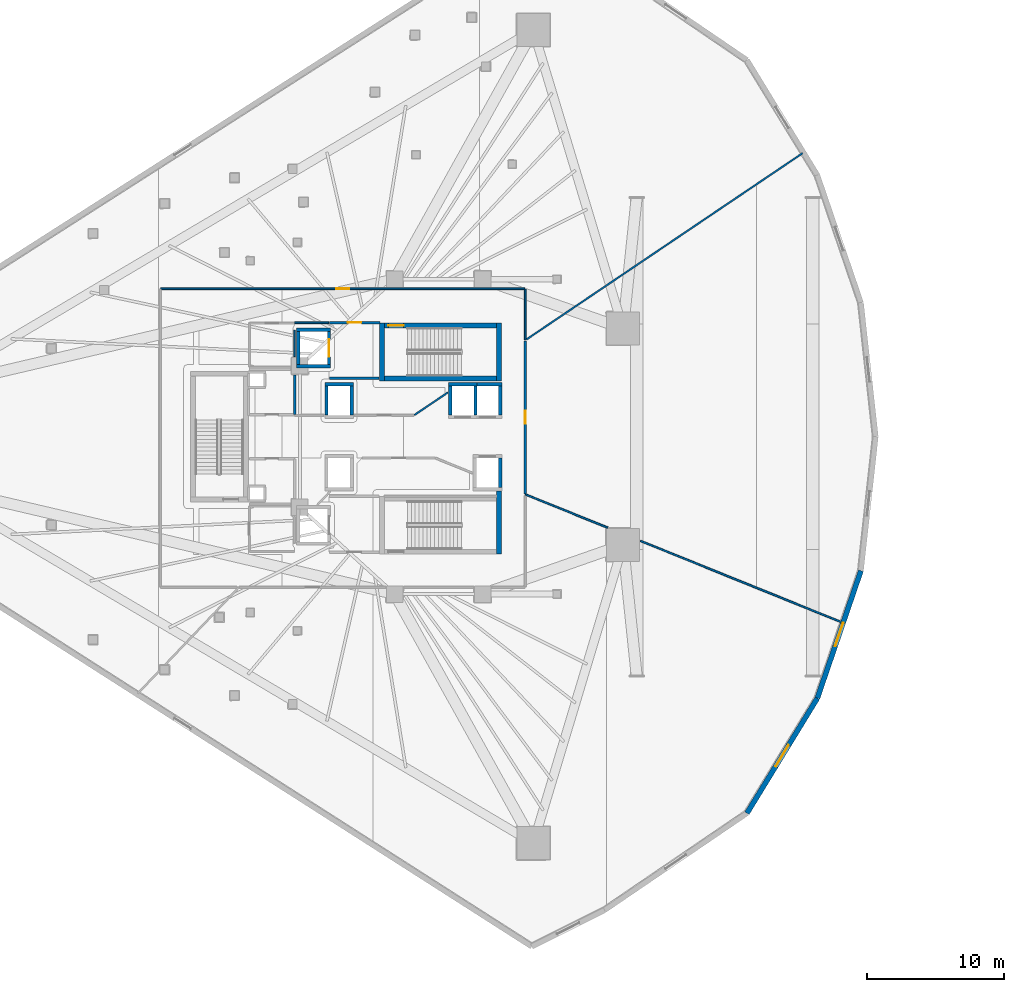
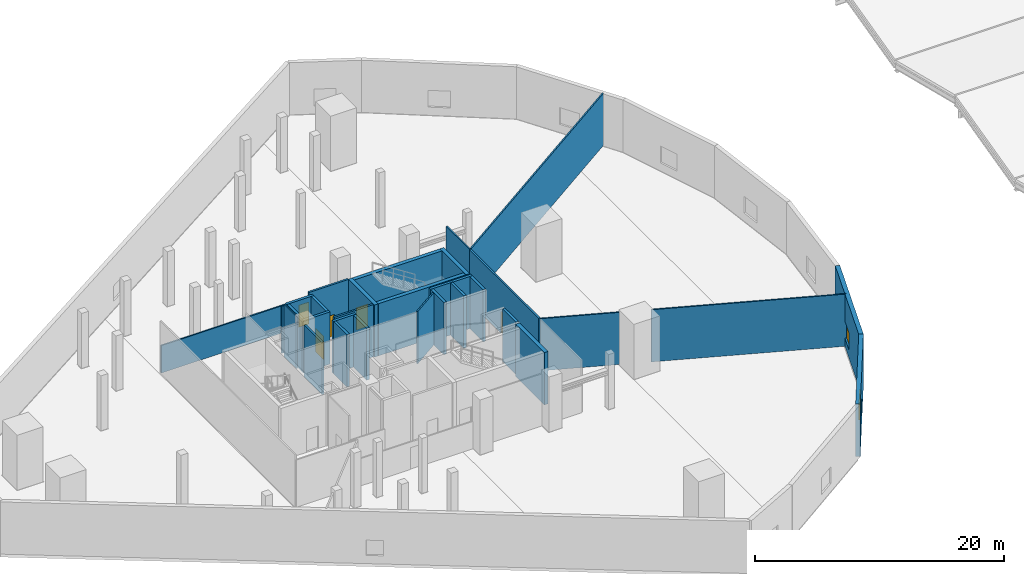
# One storey, part 26 of 36: 32 walls, 5 doors, 2 windows, 7 openings.
"""IFC4 building model written with IfcOpenShell, lengths in metres."""

from ifc_helpers import new_model, si_unit, direction, frame, frame_2d, origin, place, context, subcontext, project, spatial, rectangle, extrude, material, layer, layer_set, type_object, element, fill, save


model = new_model("IFC4")

# Units and contexts
model_context = context("Model", 3, precision=1e-05, world=origin(), true_north=direction((0.0, 1.0)))
body_context = subcontext(model_context, "Body", "Model", "MODEL_VIEW")
ifc_project = project(units=[si_unit("LENGTHUNIT", "METRE"), si_unit("AREAUNIT", "SQUARE_METRE"), si_unit("VOLUMEUNIT", "CUBIC_METRE"), si_unit("PLANEANGLEUNIT", "RADIAN"), si_unit("MASSUNIT", "GRAM", prefix="KILO")], contexts=[model_context])

# Site, building, storey
site_placement = place(None, origin())
site = spatial("IfcSite", under=ifc_project, at=site_placement, CompositionType="ELEMENT")
building_placement = place(site_placement, origin())
building = spatial("IfcBuilding", under=site, at=building_placement, Name="Qorvath Tower", CompositionType="ELEMENT")
storey_placement = place(building_placement, frame((0.0, 0.0, 27.0)))
storey = spatial("IfcBuildingStorey", under=building, at=storey_placement, Name="L05", CompositionType="ELEMENT", Elevation=27.0)

# Wall
ifc_material_1 = material(Name="Gypsum shaftliner on steel studs", Category="steel")
ifc_layer_1 = layer(ifc_material_1, 0.179931640625)
ifc_layer_set_1 = layer_set([ifc_layer_1], Name="FW-LOBBY")
wall_type_1 = type_object("IfcWallType", Name="FW-LOBBY", PredefinedType="PARTITIONING", material=ifc_layer_set_1)
wall_1_placement = place(storey_placement, frame((-28.35498046875, 4.25, 0.0), z_axis=(0.0, 0.0, 1.0), x_axis=(1.0, 0.0, 0.0)))
element("IfcWall", 1, at=wall_1_placement, inside=storey, type_object=wall_type_1, Name="Interior Partition IW-T1-L05-001", PredefinedType="PARTITIONING", context=body_context, shape_type="SweptSolid", body=[
    extrude(rectangle(XDim=3.6220703125, YDim=0.179931640625, at=frame_2d((1.81103515625, 0.0))), origin(), (0.0, 0.0, 1.0), 5.1201171875),
])

# Wall, opening, door
wall_2_placement = place(storey_placement, frame((-24.68408203125, 8.300048828125, 0.0), z_axis=(0.0, 0.0, 1.0), x_axis=(-1.0, 0.0, 0.0)))
wall_2 = element("IfcWall", 2, at=wall_2_placement, inside=storey, type_object=wall_type_1, Name="Interior Partition IW-T1-L05-002", PredefinedType="PARTITIONING", context=body_context, shape_type="SweptSolid", body=[
    extrude(rectangle(XDim=3.6708984375, YDim=0.179931640625, at=frame_2d((1.83544921875, 0.0))), origin(), (0.0, 0.0, 1.0), 5.1201171875),
])
opening_1_placement = place(wall_2_placement, frame((1.33544921875, 0.0, 0.0)))
opening_1 = element("IfcOpeningElement", 3, at=opening_1_placement, cuts=wall_2, Name="Opening D-T1-L05-01", PredefinedType="OPENING", context=body_context, shape_type="SweptSolid", body=[
    extrude(rectangle(XDim=1.0, YDim=2.14990234375, at=frame_2d((0.5, 1.074951171875))), frame((0.0, 0.10009765625, 0.0), z_axis=(0.0, -1.0, 0.0), x_axis=(1.0, 0.0, 0.0)), (0.0, 0.0, 1.0), 0.199951171875),
])
ifc_material_2 = material(Name="Painted galvanised hollow metal", Category="steel")
door_type_1 = type_object("IfcDoorType", Name="FD-60", OperationType="NOTDEFINED", PredefinedType="DOOR", material=ifc_material_2)
door_1_placement = place(opening_1_placement, origin())
door_1 = element("IfcDoor", 4, at=door_1_placement, inside=storey, type_object=door_type_1, Name="Lobby Fire Service Elevator North Door D-T1-L05-01", OperationType="SINGLE_SWING_RIGHT", OverallHeight=2.14990234375, OverallWidth=1.0, PredefinedType="DOOR", context=body_context, shape_type="SweptSolid", body=[
    extrude(rectangle(XDim=1.0, YDim=2.14990234375, at=frame_2d((0.5, 1.074951171875))), frame((0.0, 0.02490234375, 0.0), z_axis=(0.0, -1.0, 0.0), x_axis=(1.0, 0.0, 0.0)), (0.0, 0.0, 1.0), 0.050048828125),
])
fill(opening_1, door_1)

# Wall
wall_3_placement = place(storey_placement, frame((-30.8798828125, 1.625, 0.0), z_axis=(0.0, 0.0, 1.0), x_axis=(0.0, 1.0, 0.0)))
element("IfcWall", 5, at=wall_3_placement, inside=storey, type_object=wall_type_1, Name="Interior Partition IW-T1-L05-014", PredefinedType="PARTITIONING", context=body_context, shape_type="SweptSolid", body=[
    extrude(rectangle(XDim=2.860107421875, YDim=0.179931640625, at=frame_2d((1.43017578125, 0.0))), origin(), (0.0, 0.0, 1.0), 5.1201171875),
])

# Wall, opening, door
ifc_material_3 = material(Name="Double acoustic gypsum board on steel studs", Category="steel")
ifc_layer_2 = layer(ifc_material_3, 0.159912109375)
ifc_layer_set_2 = layer_set([ifc_layer_2], Name="IW-ACOUSTIC-160")
wall_type_2 = type_object("IfcWallType", Name="IW-ACOUSTIC-160", PredefinedType="PARTITIONING", material=ifc_layer_set_2)
wall_4_placement = place(storey_placement, frame((-14.112060546875, 6.97216796875, 0.0), z_axis=(0.0, 0.0, 1.0), x_axis=(0.0, -1.0, 0.0)))
wall_4 = element("IfcWall", 6, at=wall_4_placement, inside=storey, type_object=wall_type_2, Name="Interior Partition IW-T1-L05-042", PredefinedType="PARTITIONING", context=body_context, shape_type="SweptSolid", body=[
    extrude(rectangle(XDim=11.135986328125, YDim=0.159912109375, at=frame_2d((5.56787109375, 0.0))), origin(), (0.0, 0.0, 1.0), 5.1201171875),
])
opening_2_placement = place(wall_4_placement, frame((5.093017578125, 0.0, 0.0)))
opening_2 = element("IfcOpeningElement", 7, at=opening_2_placement, cuts=wall_4, Name="Opening D-T1-L05-09", PredefinedType="OPENING", context=body_context, shape_type="SweptSolid", body=[
    extrude(rectangle(XDim=0.949951171875, YDim=2.14990234375, at=frame_2d((0.47509765625, 1.074951171875))), frame((0.0, 0.08984375, 0.0), z_axis=(0.0, -1.0, 0.0), x_axis=(1.0, 0.0, 0.0)), (0.0, 0.0, 1.0), 0.179931640625),
])
ifc_material_4 = material(Name="Solid-core American white oak veneer", Category="wood")
door_type_2 = type_object("IfcDoorType", Name="D-01", OperationType="NOTDEFINED", PredefinedType="DOOR", material=ifc_material_4)
door_2_placement = place(opening_2_placement, origin())
door_2 = element("IfcDoor", 8, at=door_2_placement, inside=storey, type_object=door_type_2, Name="L05-05 Breakout Reading Alcove Door D-T1-L05-09", OperationType="SINGLE_SWING_RIGHT", OverallHeight=2.14990234375, OverallWidth=0.949951171875, PredefinedType="DOOR", context=body_context, shape_type="SweptSolid", body=[
    extrude(rectangle(XDim=0.949951171875, YDim=2.14990234375, at=frame_2d((0.47509765625, 1.074951171875))), frame((0.0, 0.02490234375, 0.0), z_axis=(0.0, -1.0, 0.0), x_axis=(1.0, 0.0, 0.0)), (0.0, 0.0, 1.0), 0.050048828125),
])
fill(opening_2, door_2)

ifc_material_5 = material(Name="Gypsum board on metal studs with mineral wool", Category="gypsum")
ifc_layer_3 = layer(ifc_material_5, 0.125)
ifc_layer_set_3 = layer_set([ifc_layer_3], Name="IW-PART-125")
wall_type_3 = type_object("IfcWallType", Name="IW-PART-125", PredefinedType="PARTITIONING", material=ifc_layer_set_3)
wall_5_placement = place(storey_placement, frame((-40.633056640625, 10.758056640625, 0.0), z_axis=(0.0, 0.0, 1.0), x_axis=(1.0, 0.0, 0.0)))
wall_5 = element("IfcWall", 9, at=wall_5_placement, inside=storey, type_object=wall_type_3, Name="Interior Partition IW-T1-L05-020", PredefinedType="PARTITIONING", context=body_context, shape_type="SweptSolid", body=[
    extrude(rectangle(XDim=26.495849609375, YDim=0.125, at=frame_2d((13.248046875, 0.0))), origin(), (0.0, 0.0, 1.0), 2.690185546875),
])
opening_3_placement = place(wall_5_placement, frame((12.77294921875, 0.0, 0.0)))
opening_3 = element("IfcOpeningElement", 10, at=opening_3_placement, cuts=wall_5, Name="Opening D-T1-L05-06", PredefinedType="OPENING", context=body_context, shape_type="SweptSolid", body=[
    extrude(rectangle(XDim=0.949951171875, YDim=2.14990234375, at=frame_2d((0.47509765625, 1.074951171875))), frame((0.0, 0.072509765625, 0.0), z_axis=(0.0, -1.0, 0.0), x_axis=(1.0, 0.0, 0.0)), (0.0, 0.0, 1.0), 0.14501953125),
])
door_3_placement = place(opening_3_placement, origin())
door_3 = element("IfcDoor", 11, at=door_3_placement, inside=storey, type_object=door_type_2, Name="L05-01 Project Collaboration Workspace Door D-T1-L05-06", OperationType="SINGLE_SWING_LEFT", OverallHeight=2.14990234375, OverallWidth=0.949951171875, PredefinedType="DOOR", context=body_context, shape_type="SweptSolid", body=[
    extrude(rectangle(XDim=0.949951171875, YDim=2.14990234375, at=frame_2d((0.47509765625, 1.074951171875))), frame((0.0, 0.02490234375, 0.0), z_axis=(0.0, -1.0, 0.0), x_axis=(1.0, 0.0, 0.0)), (0.0, 0.0, 1.0), 0.050048828125),
])
fill(opening_3, door_3)

# Walls
wall_6_placement = place(storey_placement, frame((-14.112060546875, 7.03173828125, 0.0), z_axis=(0.0, 0.0, 1.0), x_axis=(0.0, 1.0, 0.0)))
element("IfcWall", 12, at=wall_6_placement, inside=storey, type_object=wall_type_3, Name="Interior Partition IW-T1-L05-021", PredefinedType="PARTITIONING", context=body_context, shape_type="SweptSolid", body=[
    extrude(rectangle(XDim=3.701416015625, YDim=0.125, at=frame_2d((1.8505859375, 0.0))), origin(), (0.0, 0.0, 1.0), 5.1201171875),
])
wall_7_placement = place(storey_placement, frame((-14.00634765625, 7.078125, 0.0), z_axis=(0.0, 0.0, 1.0), x_axis=(0.829040285076, 0.559188881973, 0.0)))
element("IfcWall", 13, at=wall_7_placement, inside=storey, type_object=wall_type_3, Name="Interior Partition IW-T1-L05-022", PredefinedType="PARTITIONING", context=body_context, shape_type="SweptSolid", body=[
    extrude(rectangle(XDim=24.218505859375, YDim=0.125, at=frame_2d((12.109375, 0.0))), origin(), (0.0, 0.0, 1.0), 5.1201171875),
])
wall_8_placement = place(storey_placement, frame((-28.412841796875, 8.2919921875, 0.0), z_axis=(0.0, 0.0, 1.0), x_axis=(-1.0, 0.0, 0.0)))
element("IfcWall", 14, at=wall_8_placement, inside=storey, type_object=wall_type_3, Name="Interior Partition IW-T1-L05-027", PredefinedType="PARTITIONING", context=body_context, shape_type="SweptSolid", body=[
    extrude(rectangle(XDim=2.467041015625, YDim=0.125, at=frame_2d((1.2333984375, 0.0))), origin(), (0.0, 0.0, 1.0), 4.633056640625),
])
wall_9_placement = place(storey_placement, frame((-22.16943359375, 1.572021484375, 0.0), z_axis=(0.0, 0.0, 1.0), x_axis=(0.829063181021, 0.559154935483, 0.0)))
element("IfcWall", 15, at=wall_9_placement, inside=storey, type_object=wall_type_3, Name="Interior Partition IW-T1-L05-031", PredefinedType="PARTITIONING", context=body_context, shape_type="SweptSolid", body=[
    extrude(rectangle(XDim=2.941650390625, YDim=0.125, at=frame_2d((1.470703125, 0.0))), origin(), (0.0, 0.0, 1.0), 5.1201171875),
])
wall_10_placement = place(storey_placement, frame((8.941162109375, -13.512451171875, 0.0), z_axis=(0.0, 0.0, 1.0), x_axis=(-0.927168460968, 0.374644691657, 0.0)))
element("IfcWall", 16, at=wall_10_placement, inside=storey, type_object=wall_type_3, Name="Interior Partition IW-T1-L05-033", PredefinedType="PARTITIONING", context=body_context, shape_type="SweptSolid", body=[
    extrude(rectangle(XDim=15.822265625, YDim=0.125, at=frame_2d((7.9111328125, 0.0))), origin(), (0.0, 0.0, 1.0), 5.1201171875),
])
wall_11_placement = place(storey_placement, frame((-8.10986328125, -6.62255859375, 0.0), z_axis=(0.0, 0.0, 1.0), x_axis=(-0.927178624455, 0.374619538137, 0.0)))
element("IfcWall", 17, at=wall_11_placement, inside=storey, type_object=wall_type_3, Name="Interior Partition IW-T1-L05-034", PredefinedType="PARTITIONING", context=body_context, shape_type="SweptSolid", body=[
    extrude(rectangle(XDim=6.448486328125, YDim=0.125, at=frame_2d((3.22412109375, 0.0))), origin(), (0.0, 0.0, 1.0), 5.1201171875),
])
ifc_material_6 = material(Name="Moisture-resistant cement board on metal studs", Category="gypsum")
ifc_layer_4 = layer(ifc_material_6, 0.110107421875)
ifc_layer_set_4 = layer_set([ifc_layer_4], Name="IW-WC-110")
wall_type_4 = type_object("IfcWallType", Name="IW-WC-110", PredefinedType="PARTITIONING", material=ifc_layer_set_4)
wall_12_placement = place(storey_placement, frame((-30.8798828125, 5.81494140625, 0.0), z_axis=(0.0, 0.0, 1.0), x_axis=(0.0, 1.0, 0.0)))
element("IfcWall", 18, at=wall_12_placement, inside=storey, type_object=wall_type_4, Name="Interior Partition IW-T1-L05-007", PredefinedType="PARTITIONING", context=body_context, shape_type="SweptSolid", body=[
    extrude(rectangle(XDim=1.927978515625, YDim=0.110107421875, at=frame_2d((0.9638671875, 0.0))), origin(), (0.0, 0.0, 1.0), 5.1201171875),
])
ifc_material_7 = material(Name="Concrete C60/75", Category="concrete")
ifc_layer_5 = layer(ifc_material_7, 0.260009765625)
ifc_layer_set_5 = layer_set([ifc_layer_5], Name="SW-SHAFT")
wall_type_5 = type_object("IfcWallType", Name="SW-SHAFT", PredefinedType="SHEAR", material=ifc_layer_set_5)
for number, where, z_axis, x_axis, name in (
    (19, (-28.260009765625, 5.1298828125, 0.0), (0.0, 0.0, 1.0), (-1.0, 0.0, 0.0), "Hoistway Wall FSAE-1 L05 S"),
    (20, (-30.739990234375, 7.77001953125, 0.0), (0.0, 0.0, 1.0), (1.0, 0.0, 0.0), "Hoistway Wall FSAE-1 L05 N"),
):
    element("IfcWall", number, at=place(storey_placement, frame(where, z_axis=z_axis, x_axis=x_axis)), inside=storey, type_object=wall_type_5, Name=name, PredefinedType="SHEAR", context=body_context, shape_type="SweptSolid", body=[
        extrude(rectangle(XDim=2.47998046875, YDim=0.239990234375, at=frame_2d((1.239990234375, 0.0))), origin(), (0.0, 0.0, 1.0), 5.1201171875),
    ])
wall_13_placement = place(storey_placement, frame((-30.6201171875, 5.261962890625, 0.0), z_axis=(0.0, 0.0, 1.0), x_axis=(0.0, 1.0, 0.0)))
element("IfcWall", 21, at=wall_13_placement, inside=storey, type_object=wall_type_5, Name="Hoistway Wall FSAE-1 L05 W", PredefinedType="SHEAR", context=body_context, shape_type="SweptSolid", body=[
    extrude(rectangle(XDim=2.3759765625, YDim=0.239990234375, at=frame_2d((1.18798828125, 0.0))), origin(), (0.0, 0.0, 1.0), 5.1201171875),
])

# Wall, opening, door
wall_14_placement = place(storey_placement, frame((-28.3798828125, 7.637939453125, 0.0), z_axis=(0.0, 0.0, 1.0), x_axis=(0.0, -1.0, 0.0)))
wall_14 = element("IfcWall", 22, at=wall_14_placement, inside=storey, type_object=wall_type_5, Name="Hoistway Wall FSAE-1 L05 E", PredefinedType="SHEAR", context=body_context, shape_type="SweptSolid", body=[
    extrude(rectangle(XDim=2.3759765625, YDim=0.239990234375, at=frame_2d((1.18798828125, 0.0))), origin(), (0.0, 0.0, 1.0), 5.1201171875),
])
opening_4_placement = place(wall_14_placement, frame((0.537841796875, 0.0, 0.0)))
opening_4 = element("IfcOpeningElement", 23, at=opening_4_placement, cuts=wall_14, Name="Opening LD-FSAE-1-L05", PredefinedType="OPENING", context=body_context, shape_type="SweptSolid", body=[
    extrude(rectangle(XDim=1.300048828125, YDim=2.300048828125, at=frame_2d((0.64990234375, 1.14990234375))), frame((0.0, 0.1298828125, 0.0), z_axis=(0.0, -1.0, 0.0), x_axis=(1.0, 0.0, 0.0)), (0.0, 0.0, 1.0), 0.260009765625),
])
ifc_material_8 = material(Name="Brushed stainless steel AISI 316", Category="steel")
door_type_3 = type_object("IfcDoorType", Name="LD-02", OperationType="NOTDEFINED", PredefinedType="DOOR", material=ifc_material_8)
door_4_placement = place(opening_4_placement, origin())
door_4 = element("IfcDoor", 24, at=door_4_placement, inside=storey, type_object=door_type_3, Name="Elevator Landing Sliding Door LD-FSAE-1-L05", OperationType="DOUBLE_DOOR_SLIDING", OverallHeight=2.300048828125, OverallWidth=1.300048828125, PredefinedType="DOOR", context=body_context, shape_type="SweptSolid", body=[
    extrude(rectangle(XDim=1.300048828125, YDim=2.300048828125, at=frame_2d((0.64990234375, 1.14990234375))), frame((0.0, 0.02490234375, 0.0), z_axis=(0.0, -1.0, 0.0), x_axis=(1.0, 0.0, 0.0)), (0.0, 0.0, 1.0), 0.050048828125),
])
fill(opening_4, door_4)

# Walls
wall_15_placement = place(storey_placement, frame((-28.68994140625, 3.820068359375, 0.0), z_axis=(0.0, 0.0, 1.0), x_axis=(1.0, 0.0, 0.0)))
element("IfcWall", 25, at=wall_15_placement, inside=storey, type_object=wall_type_5, Name="Hoistway Wall PS-1 L05 N", PredefinedType="SHEAR", context=body_context, shape_type="SweptSolid", body=[
    extrude(rectangle(XDim=2.079833984375, YDim=0.239990234375, at=frame_2d((1.0400390625, 0.0))), origin(), (0.0, 0.0, 1.0), 5.1201171875),
])
for number, where, z_axis, x_axis, name in (
    (26, (-28.570068359375, 1.56201171875, 0.0), (0.0, 0.0, 1.0), (0.0, 1.0, 0.0), "Hoistway Wall PS-1 L05 W"),
    (27, (-26.72998046875, 3.68798828125, 0.0), (0.0, 0.0, 1.0), (0.0, -1.0, 0.0), "Hoistway Wall PS-1 L05 E"),
):
    element("IfcWall", number, at=place(storey_placement, frame(where, z_axis=z_axis, x_axis=x_axis)), inside=storey, type_object=wall_type_5, Name=name, PredefinedType="SHEAR", context=body_context, shape_type="SweptSolid", body=[
        extrude(rectangle(XDim=2.1259765625, YDim=0.239990234375, at=frame_2d((1.06298828125, 0.0))), origin(), (0.0, 0.0, 1.0), 5.1201171875),
    ])
wall_16_placement = place(storey_placement, frame((-19.68994140625, 3.820068359375, 0.0), z_axis=(0.0, 0.0, 1.0), x_axis=(1.0, 0.0, 0.0)))
element("IfcWall", 28, at=wall_16_placement, inside=storey, type_object=wall_type_5, Name="Hoistway Wall PL-1 L05 N", PredefinedType="SHEAR", context=body_context, shape_type="SweptSolid", body=[
    extrude(rectangle(XDim=2.079833984375, YDim=0.239990234375, at=frame_2d((1.0400390625, 0.0))), origin(), (0.0, 0.0, 1.0), 5.1201171875),
])
for number, where, z_axis, x_axis, name in (
    (29, (-19.570068359375, 1.56201171875, 0.0), (0.0, 0.0, 1.0), (0.0, 1.0, 0.0), "Hoistway Wall PL-1 L05 W"),
    (30, (-17.72998046875, 3.68798828125, 0.0), (0.0, 0.0, 1.0), (0.0, -1.0, 0.0), "Hoistway Wall PL-1 L05 E"),
):
    element("IfcWall", number, at=place(storey_placement, frame(where, z_axis=z_axis, x_axis=x_axis)), inside=storey, type_object=wall_type_5, Name=name, PredefinedType="SHEAR", context=body_context, shape_type="SweptSolid", body=[
        extrude(rectangle(XDim=2.1259765625, YDim=0.239990234375, at=frame_2d((1.06298828125, 0.0))), origin(), (0.0, 0.0, 1.0), 5.1201171875),
    ])
wall_17_placement = place(storey_placement, frame((-17.610107421875, 3.820068359375, 0.0), z_axis=(0.0, 0.0, 1.0), x_axis=(1.0, 0.0, 0.0)))
element("IfcWall", 31, at=wall_17_placement, inside=storey, type_object=wall_type_5, Name="Hoistway Wall PL-3 L05 N", PredefinedType="SHEAR", context=body_context, shape_type="SweptSolid", body=[
    extrude(rectangle(XDim=1.800048828125, YDim=0.239990234375, at=frame_2d((0.89990234375, 0.0))), origin(), (0.0, 0.0, 1.0), 5.1201171875),
])
for number, where, z_axis, x_axis, name in (
    (32, (-15.929931640625, 3.68798828125, 0.0), (0.0, 0.0, 1.0), (0.0, -1.0, 0.0), "Hoistway Wall PL-3 L05 E"),
    (33, (-15.929931640625, -1.56201171875, 0.0), (0.0, 0.0, 1.0), (0.0, -1.0, 0.0), "Hoistway Wall PL-2 L05 E"),
):
    element("IfcWall", number, at=place(storey_placement, frame(where, z_axis=z_axis, x_axis=x_axis)), inside=storey, type_object=wall_type_5, Name=name, PredefinedType="SHEAR", context=body_context, shape_type="SweptSolid", body=[
        extrude(rectangle(XDim=2.1259765625, YDim=0.239990234375, at=frame_2d((1.06298828125, 0.0))), origin(), (0.0, 0.0, 1.0), 5.1201171875),
    ])
ifc_material_9 = material(Name="Concrete C60/75", Category="concrete")
ifc_layer_6 = layer(ifc_material_9, 0.35009765625)
ifc_layer_set_6 = layer_set([ifc_layer_6], Name="SW-STAIR")
wall_type_6 = type_object("IfcWallType", Name="SW-STAIR", PredefinedType="SHEAR", material=ifc_layer_set_6)
for number, where, z_axis, x_axis, name in (
    (34, (-24.52490234375, 8.260009765625, 0.0), (0.0, 0.0, 1.0), (0.0, -1.0, 0.0), "Stair TS1 Shear Wall L05 NEAR"),
    (35, (-16.02490234375, 4.050048828125, 0.0), (0.0, 0.0, 1.0), (0.0, 1.0, 0.0), "Stair TS1 Shear Wall L05 FAR"),
):
    element("IfcWall", number, at=place(storey_placement, frame(where, z_axis=z_axis, x_axis=x_axis)), inside=storey, type_object=wall_type_6, Name=name, PredefinedType="SHEAR", context=body_context, shape_type="SweptSolid", body=[
        extrude(rectangle(XDim=4.2099609375, YDim=0.35009765625, at=frame_2d((2.10498046875, 0.0))), origin(), (0.0, 0.0, 1.0), 5.1201171875),
    ])
wall_18_placement = place(storey_placement, frame((-24.3349609375, 4.22509765625, 0.0), z_axis=(0.0, 0.0, 1.0), x_axis=(1.0, 0.0, 0.0)))
element("IfcWall", 36, at=wall_18_placement, inside=storey, type_object=wall_type_6, Name="Stair TS1 Shear Wall L05 LEFT", PredefinedType="SHEAR", context=body_context, shape_type="SweptSolid", body=[
    extrude(rectangle(XDim=8.119873046875, YDim=0.35009765625, at=frame_2d((4.06005859375, 0.0))), origin(), (0.0, 0.0, 1.0), 5.1201171875),
])

# Wall, opening, door
wall_19_placement = place(storey_placement, frame((-16.215087890625, 8.0849609375, 0.0), z_axis=(0.0, 0.0, 1.0), x_axis=(-1.0, 0.0, 0.0)))
wall_19 = element("IfcWall", 37, at=wall_19_placement, inside=storey, type_object=wall_type_6, Name="Stair TS1 Shear Wall L05 RIGHT", PredefinedType="SHEAR", context=body_context, shape_type="SweptSolid", body=[
    extrude(rectangle(XDim=8.119873046875, YDim=0.35009765625, at=frame_2d((4.06005859375, 0.0))), origin(), (0.0, 0.0, 1.0), 5.1201171875),
])
opening_5_placement = place(wall_19_placement, frame((6.739990234375, 0.0, 0.0)))
opening_5 = element("IfcOpeningElement", 38, at=opening_5_placement, cuts=wall_19, Name="Opening D-TS1-L05", PredefinedType="OPENING", context=body_context, shape_type="SweptSolid", body=[
    extrude(rectangle(XDim=1.10009765625, YDim=2.199951171875, at=frame_2d((0.550048828125, 1.10009765625))), frame((0.0, 0.18505859375, 0.0), z_axis=(0.0, -1.0, 0.0), x_axis=(1.0, 0.0, 0.0)), (0.0, 0.0, 1.0), 0.3701171875),
])
ifc_material_10 = material(Name="Painted galvanised hollow metal", Category="steel")
door_type_4 = type_object("IfcDoorType", Name="FD-90", OperationType="NOTDEFINED", PredefinedType="DOOR", material=ifc_material_10)
door_5_placement = place(opening_5_placement, origin())
door_5 = element("IfcDoor", 39, at=door_5_placement, inside=storey, type_object=door_type_4, Name="Stair TS1 Fire Door L05", OperationType="SINGLE_SWING_RIGHT", OverallHeight=2.199951171875, OverallWidth=1.10009765625, PredefinedType="DOOR", context=body_context, shape_type="SweptSolid", body=[
    extrude(rectangle(XDim=1.10009765625, YDim=2.199951171875, at=frame_2d((0.550048828125, 1.10009765625))), frame((0.0, 0.02490234375, 0.0), z_axis=(0.0, -1.0, 0.0), x_axis=(1.0, 0.0, 0.0)), (0.0, 0.0, 1.0), 0.050048828125),
])
fill(opening_5, door_5)

# Wall
wall_20_placement = place(storey_placement, frame((-16.02490234375, -8.550048828125, 0.0), z_axis=(0.0, 0.0, 1.0), x_axis=(0.0, 1.0, 0.0)))
element("IfcWall", 40, at=wall_20_placement, inside=storey, type_object=wall_type_6, Name="Stair TS2 Shear Wall L05 FAR", PredefinedType="SHEAR", context=body_context, shape_type="SweptSolid", body=[
    extrude(rectangle(XDim=4.610107421875, YDim=0.35009765625, at=frame_2d((2.30517578125, 0.0))), origin(), (0.0, 0.0, 1.0), 5.1201171875),
])

# Wall, opening, window
ifc_material_11 = material(Name="Precast concrete C50/60", Category="concrete")
ifc_layer_7 = layer(ifc_material_11, 0.3798828125)
ifc_layer_set_7 = layer_set([ifc_layer_7], Name="WL-EW-POD-380")
wall_type_7 = type_object("IfcWallType", Name="WL-EW-POD-380", PredefinedType="SOLIDWALL", material=ifc_layer_set_7)
wall_21_placement = place(storey_placement, frame((7.139404296875, -19.029052734375, 0.0), z_axis=(0.0, 0.0, 1.0), x_axis=(-0.521922160909, -0.852993117178, 0.0)))
wall_21 = element("IfcWall", 41, at=wall_21_placement, inside=storey, type_object=wall_type_7, Name="Tower Podium Precast Facade Wall L05-4.1", PredefinedType="SOLIDWALL", context=body_context, shape_type="SweptSolid", body=[
    extrude(rectangle(XDim=9.807861328125, YDim=0.3798828125, at=frame_2d((4.90380859375, 0.0))), origin(), (0.0, 0.0, 1.0), 5.1201171875),
])
opening_6_placement = place(wall_21_placement, frame((4.00390625, 0.0, 0.800048828125)))
opening_6 = element("IfcOpeningElement", 42, at=opening_6_placement, cuts=wall_21, Name="Opening WN-L05-060", PredefinedType="OPENING", context=body_context, shape_type="SweptSolid", body=[
    extrude(rectangle(XDim=1.800048828125, YDim=1.64990234375, at=frame_2d((0.89990234375, 0.824951171875))), frame((0.0, 0.199951171875, 0.0), z_axis=(0.0, -1.0, 0.0), x_axis=(1.0, 0.0, 0.0)), (0.0, 0.0, 1.0), 0.39990234375),
])
ifc_material_12 = material(Name="Thermally broken aluminium and triple low-E glass", Category="aluminium")
window_type = type_object("IfcWindowType", Name="WN-1", PartitioningType="SINGLE_PANEL", PredefinedType="WINDOW", material=ifc_material_12)
window_1_placement = place(opening_6_placement, origin())
window_1 = element("IfcWindow", 43, at=window_1_placement, inside=storey, type_object=window_type, Name="Podium Punched Window L05-060", OverallHeight=1.64990234375, OverallWidth=1.800048828125, PartitioningType="SINGLE_PANEL", PredefinedType="WINDOW", context=body_context, shape_type="SweptSolid", body=[
    extrude(rectangle(XDim=1.800048828125, YDim=1.64990234375, at=frame_2d((0.89990234375, 0.824951171875))), frame((0.0, 0.030029296875, 0.0), z_axis=(0.0, -1.0, 0.0), x_axis=(1.0, 0.0, 0.0)), (0.0, 0.0, 1.0), 0.06005859375),
])
fill(opening_6, window_1)

wall_22_placement = place(storey_placement, frame((10.3125, -9.748779296875, 0.0), z_axis=(0.0, 0.0, 1.0), x_axis=(-0.323529337119, -0.946218139767, 0.0)))
wall_22 = element("IfcWall", 44, at=wall_22_placement, inside=storey, type_object=wall_type_7, Name="Tower Podium Precast Facade Wall L05-5.1", PredefinedType="SOLIDWALL", context=body_context, shape_type="SweptSolid", body=[
    extrude(rectangle(XDim=9.807861328125, YDim=0.3798828125, at=frame_2d((4.90380859375, 0.0))), origin(), (0.0, 0.0, 1.0), 5.1201171875),
])
opening_7_placement = place(wall_22_placement, frame((4.00390625, 0.0, 0.800048828125)))
opening_7 = element("IfcOpeningElement", 45, at=opening_7_placement, cuts=wall_22, Name="Opening WN-L05-061", PredefinedType="OPENING", context=body_context, shape_type="SweptSolid", body=[
    extrude(rectangle(XDim=1.800048828125, YDim=1.64990234375, at=frame_2d((0.89990234375, 0.824951171875))), frame((0.0, 0.199951171875, 0.0), z_axis=(0.0, -1.0, 0.0), x_axis=(1.0, 0.0, 0.0)), (0.0, 0.0, 1.0), 0.39990234375),
])
window_2_placement = place(opening_7_placement, origin())
window_2 = element("IfcWindow", 46, at=window_2_placement, inside=storey, type_object=window_type, Name="Podium Punched Window L05-061", OverallHeight=1.64990234375, OverallWidth=1.800048828125, PartitioningType="SINGLE_PANEL", PredefinedType="WINDOW", context=body_context, shape_type="SweptSolid", body=[
    extrude(rectangle(XDim=1.800048828125, YDim=1.64990234375, at=frame_2d((0.89990234375, 0.824951171875))), frame((0.0, 0.030029296875, 0.0), z_axis=(0.0, -1.0, 0.0), x_axis=(1.0, 0.0, 0.0)), (0.0, 0.0, 1.0), 0.06005859375),
])
fill(opening_7, window_2)

save(model, "model.ifc")
